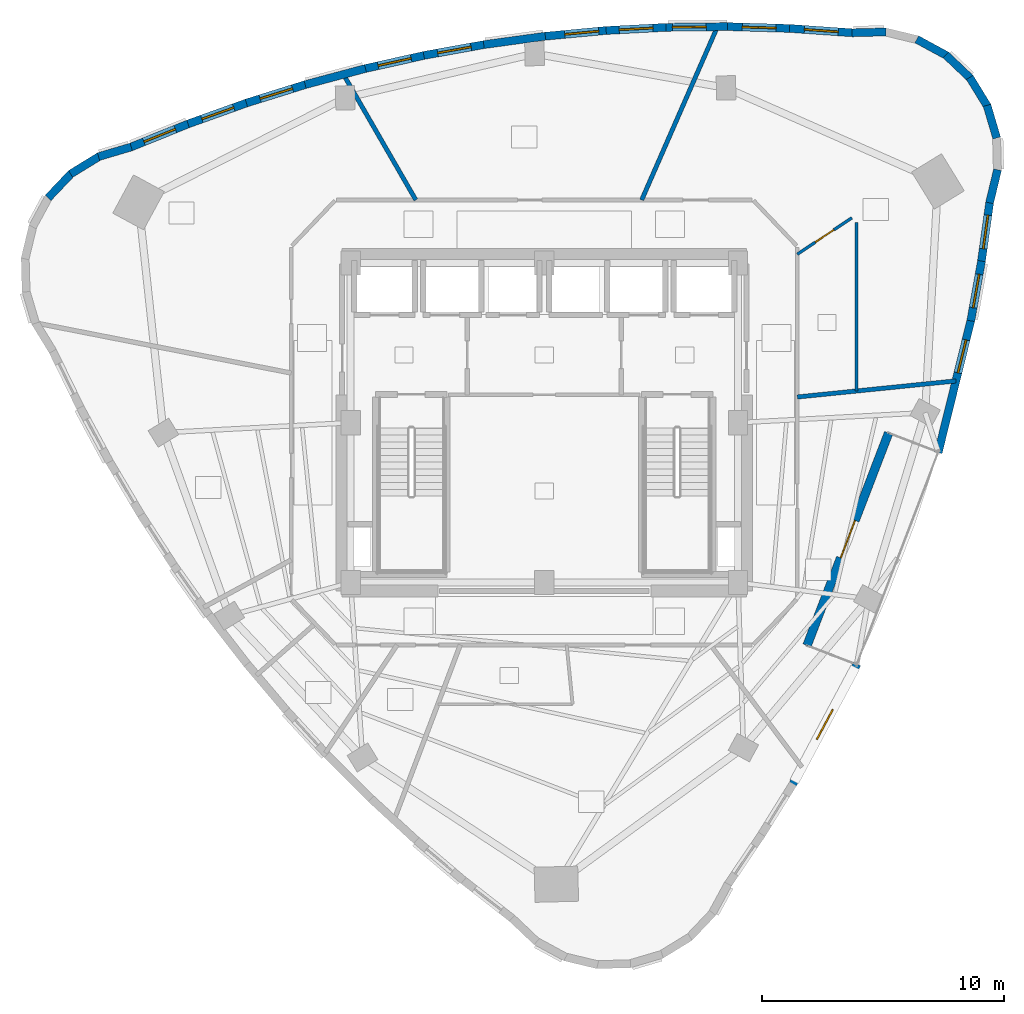
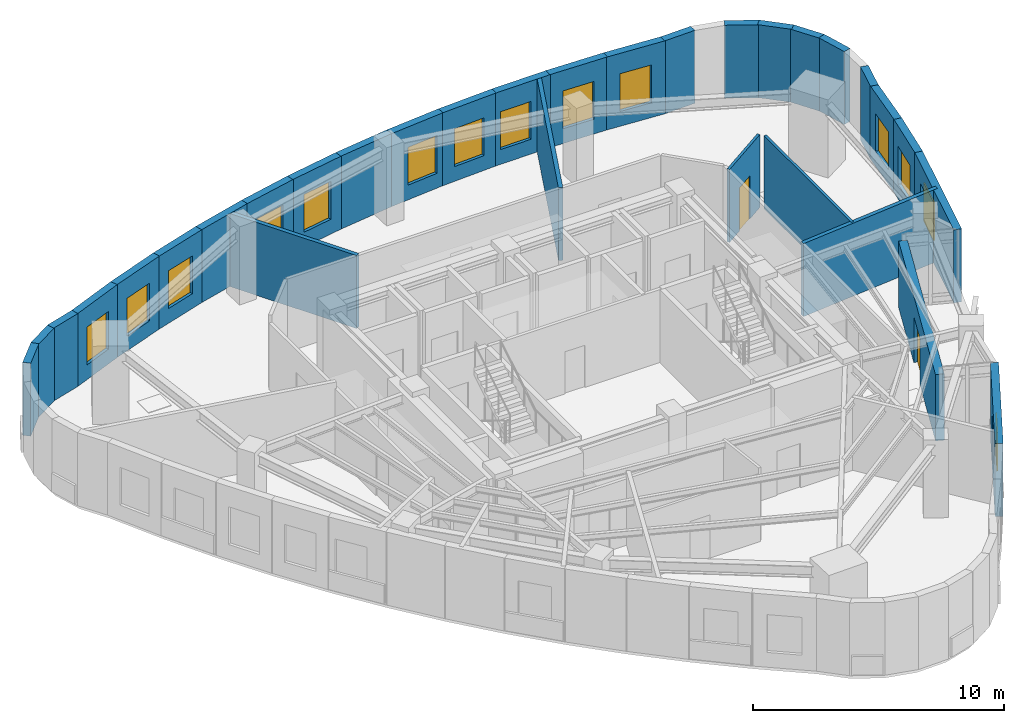
# One storey, part 6 of 10: 31 walls, 14 windows, 2 doors, 16 openings.
"""IFC4 building model written with IfcOpenShell, lengths in metres."""

from ifc_helpers import new_model, si_unit, direction, frame, frame_2d, origin, place, context, subcontext, project, spatial, rectangle, extrude, material, layer, layer_set, type_object, element, fill, save


model = new_model("IFC4")

# Units and contexts
model_context = context("Model", 3, precision=1e-05, world=origin(), true_north=direction((0.0, 1.0)))
body_context = subcontext(model_context, "Body", "Model", "MODEL_VIEW")
ifc_project = project(units=[si_unit("LENGTHUNIT", "METRE"), si_unit("AREAUNIT", "SQUARE_METRE"), si_unit("VOLUMEUNIT", "CUBIC_METRE"), si_unit("PLANEANGLEUNIT", "RADIAN"), si_unit("MASSUNIT", "GRAM", prefix="KILO")], contexts=[model_context])

# Site, building, storey
site_placement = place(None, origin())
site = spatial("IfcSite", under=ifc_project, at=site_placement, CompositionType="ELEMENT")
building_placement = place(site_placement, origin())
building = spatial("IfcBuilding", under=site, at=building_placement, Name="Ndelora Gate Hotel", CompositionType="ELEMENT")
storey_placement = place(building_placement, frame((0.0, 0.0, 239.75)))
storey = spatial("IfcBuildingStorey", under=building, at=storey_placement, Name="L60", CompositionType="ELEMENT", Elevation=239.75)

# Walls
ifc_material_1 = material(Name="Acoustic Double-Stud Gypsum Assembly", Category="gypsum")
ifc_layer_1 = layer(ifc_material_1, 0.179931640625)
ifc_layer_set_1 = layer_set([ifc_layer_1], Name="Acoustic Double-Stud Gypsum Assembly")
wall_type_1 = type_object("IfcWallType", Name="WL-ACOUST-180", PredefinedType="PARTITIONING", material=ifc_layer_set_1)
wall_1_placement = place(storey_placement, frame((10.449951171875, 1.060791015625, 0.0), z_axis=(0.0, 0.0, 1.0), x_axis=(0.994889305672, 0.100971626999, 0.0)))
element("IfcWall", 1, at=wall_1_placement, inside=storey, type_object=wall_type_1, Name="L60 Interior Wall IW-3", PredefinedType="PARTITIONING", context=body_context, shape_type="SweptSolid", body=[
    extrude(rectangle(XDim=6.58642578125, YDim=0.179931640625, at=frame_2d((3.293212890625, 0.0))), origin(), (0.0, 0.0, 1.0), 3.550048828125),
])
wall_2_placement = place(storey_placement, frame((4.0234375, 9.199951171875, 0.0), z_axis=(0.0, 0.0, 1.0), x_axis=(0.400689260614, 0.916214012351, 0.0)))
element("IfcWall", 2, at=wall_2_placement, inside=storey, type_object=wall_type_1, Name="L60 Interior Wall IW-3", PredefinedType="PARTITIONING", context=body_context, shape_type="SweptSolid", body=[
    extrude(rectangle(XDim=7.808837890625, YDim=0.179931640625, at=frame_2d((3.904296875, 0.0))), origin(), (0.0, 0.0, 1.0), 3.550048828125),
])
wall_3_placement = place(storey_placement, frame((-5.305419921875, 9.199951171875, 0.0), z_axis=(0.0, 0.0, 1.0), x_axis=(-0.499547119909, 0.866286716388, 0.0)))
element("IfcWall", 3, at=wall_3_placement, inside=storey, type_object=wall_type_1, Name="L60 Interior Wall IW-3", PredefinedType="PARTITIONING", context=body_context, shape_type="SweptSolid", body=[
    extrude(rectangle(XDim=5.9873046875, YDim=0.179931640625, at=frame_2d((2.99365234375, 0.0))), origin(), (0.0, 0.0, 1.0), 3.550048828125),
])
ifc_material_2 = material(Name="Clay Brick Masonry", Category="masonry")
ifc_layer_2 = layer(ifc_material_2, 0.330078125)
ifc_layer_set_2 = layer_set([ifc_layer_2], Name="Clay Brick Masonry")
wall_type_2 = type_object("IfcWallType", Name="WL-BRICK-330", PredefinedType="SOLIDWALL", material=ifc_layer_set_2)
for number, where, z_axis, x_axis, name in (
    (4, (-18.40966796875, 10.989013671875, 0.0), (0.0, 0.0, 1.0), (0.958780610545, 0.284147392812, 0.0), "L60 Tower Brick Pier-and-Spandrel Wall TWR-1"),
    (5, (-19.564453125, 10.273681640625, 0.0), (0.0, 0.0, 1.0), (0.852556375324, 0.522635271384, 0.0), "L60 Tower Brick Pier-and-Spandrel Wall TWR-2"),
    (6, (-20.494873046875, 9.2841796875, 0.0), (0.0, 0.0, 1.0), (0.688480442028, 0.725254907563, 0.0), "L60 Tower Brick Pier-and-Spandrel Wall TWR-3"),
):
    element("IfcWall", number, at=place(storey_placement, frame(where, z_axis=z_axis, x_axis=x_axis)), inside=storey, type_object=wall_type_2, Name=name, PredefinedType="SOLIDWALL", context=body_context, shape_type="SweptSolid", body=[
        extrude(rectangle(XDim=1.407470703125, YDim=0.330078125, at=frame_2d((0.70361328125, 0.0))), origin(), (0.0, 0.0, 1.0), 3.550048828125),
    ])

# Wall, opening, window
wall_4_placement = place(storey_placement, frame((12.919189453125, -9.967041015625, 0.0), z_axis=(0.0, 0.0, 1.0), x_axis=(-0.471219832314, -0.882015798971, 0.0)))
wall_4 = element("IfcWall", 7, at=wall_4_placement, inside=storey, type_object=wall_type_2, Name="L60 Tower Brick Pier-and-Spandrel Wall TWR-31", PredefinedType="SOLIDWALL", context=body_context, shape_type="SweptSolid", body=[
    extrude(rectangle(XDim=5.65673828125, YDim=0.330078125, at=frame_2d((2.828369140625, 0.0))), origin(), (0.0, 0.0, 1.0), 3.550048828125),
])
opening_1_placement = place(wall_4_placement, frame((2.12841796875, 0.0, 0.719970703125)))
opening_1 = element("IfcOpeningElement", 8, at=opening_1_placement, cuts=wall_4, Name="Opening W02", PredefinedType="OPENING", context=body_context, shape_type="SweptSolid", body=[
    extrude(rectangle(XDim=1.39990234375, YDim=1.8798828125, at=frame_2d((0.699951171875, 0.93994140625))), frame((0.0, 0.175048828125, 0.0), z_axis=(0.0, -1.0, 0.0), x_axis=(1.0, 0.0, 0.0)), (0.0, 0.0, 1.0), 0.35009765625),
])
ifc_material_3 = material(Name="Insulated Low-E Double Glazing in Bronze Aluminium Frame", Category="aluminium")
window_type = type_object("IfcWindowType", Name="WN-DEEP-1400", PartitioningType="SINGLE_PANEL", PredefinedType="WINDOW", material=ifc_material_3)
window_1_placement = place(opening_1_placement, origin())
window_1 = element("IfcWindow", 9, at=window_1_placement, inside=storey, type_object=window_type, Name="L60 Deep-Set Brick-Pier Window W02", OverallHeight=1.8798828125, OverallWidth=1.39990234375, PartitioningType="SINGLE_PANEL", PredefinedType="WINDOW", context=body_context, shape_type="SweptSolid", body=[
    extrude(rectangle(XDim=1.39990234375, YDim=1.8798828125, at=frame_2d((0.699951171875, 0.93994140625))), frame((0.0, 0.030029296875, 0.0), z_axis=(0.0, -1.0, 0.0), x_axis=(1.0, 0.0, 0.0)), (0.0, 0.0, 1.0), 0.06005859375),
])
fill(opening_1, window_1)

wall_5_placement = place(storey_placement, frame((17.627685546875, 4.253662109375, 0.0), z_axis=(0.0, 0.0, 1.0), x_axis=(-0.240006202067, -0.97077135463, 0.0)))
wall_5 = element("IfcWall", 10, at=wall_5_placement, inside=storey, type_object=wall_type_2, Name="L60 Tower Brick Pier-and-Spandrel Wall TWR-36", PredefinedType="SOLIDWALL", context=body_context, shape_type="SweptSolid", body=[
    extrude(rectangle(XDim=5.65673828125, YDim=0.330078125, at=frame_2d((2.828369140625, 0.0))), origin(), (0.0, 0.0, 1.0), 3.550048828125),
])
opening_2_placement = place(wall_5_placement, frame((0.860107421875, 0.0, 0.719970703125)))
opening_2 = element("IfcOpeningElement", 11, at=opening_2_placement, cuts=wall_5, Name="Opening W02", PredefinedType="OPENING", context=body_context, shape_type="SweptSolid", body=[
    extrude(rectangle(XDim=1.39990234375, YDim=1.8798828125, at=frame_2d((0.699951171875, 0.93994140625))), frame((0.0, 0.175048828125, 0.0), z_axis=(0.0, -1.0, 0.0), x_axis=(1.0, 0.0, 0.0)), (0.0, 0.0, 1.0), 0.35009765625),
])
window_2_placement = place(opening_2_placement, origin())
window_2 = element("IfcWindow", 12, at=window_2_placement, inside=storey, type_object=window_type, Name="L60 Deep-Set Brick-Pier Window W02", OverallHeight=1.8798828125, OverallWidth=1.39990234375, PartitioningType="SINGLE_PANEL", PredefinedType="WINDOW", context=body_context, shape_type="SweptSolid", body=[
    extrude(rectangle(XDim=1.39990234375, YDim=1.8798828125, at=frame_2d((0.699951171875, 0.93994140625))), frame((0.0, 0.030029296875, 0.0), z_axis=(0.0, -1.0, 0.0), x_axis=(1.0, 0.0, 0.0)), (0.0, 0.0, 1.0), 0.06005859375),
])
fill(opening_2, window_2)

wall_6_placement = place(storey_placement, frame((18.06005859375, 6.674072265625, 0.0), z_axis=(0.0, 0.0, 1.0), x_axis=(-0.176521442017, -0.984296794929, 0.0)))
wall_6 = element("IfcWall", 13, at=wall_6_placement, inside=storey, type_object=wall_type_2, Name="L60 Tower Brick Pier-and-Spandrel Wall TWR-37", PredefinedType="SOLIDWALL", context=body_context, shape_type="SweptSolid", body=[
    extrude(rectangle(XDim=2.5087890625, YDim=0.330078125, at=frame_2d((1.25439453125, 0.0))), origin(), (0.0, 0.0, 1.0), 3.550048828125),
])
opening_3_placement = place(wall_6_placement, frame((0.554443359375, 0.0, 0.719970703125)))
opening_3 = element("IfcOpeningElement", 14, at=opening_3_placement, cuts=wall_6, Name="Opening W02", PredefinedType="OPENING", context=body_context, shape_type="SweptSolid", body=[
    extrude(rectangle(XDim=1.39990234375, YDim=1.840087890625, at=frame_2d((0.699951171875, 0.919921875))), frame((0.0, 0.175048828125, 0.0), z_axis=(0.0, -1.0, 0.0), x_axis=(1.0, 0.0, 0.0)), (0.0, 0.0, 1.0), 0.35009765625),
])
window_3_placement = place(opening_3_placement, origin())
window_3 = element("IfcWindow", 15, at=window_3_placement, inside=storey, type_object=window_type, Name="L60 Deep-Set Brick-Pier Window W02", OverallHeight=1.840087890625, OverallWidth=1.39990234375, PartitioningType="SINGLE_PANEL", PredefinedType="WINDOW", context=body_context, shape_type="SweptSolid", body=[
    extrude(rectangle(XDim=1.39990234375, YDim=1.840087890625, at=frame_2d((0.699951171875, 0.919921875))), frame((0.0, 0.030029296875, 0.0), z_axis=(0.0, -1.0, 0.0), x_axis=(1.0, 0.0, 0.0)), (0.0, 0.0, 1.0), 0.06005859375),
])
fill(opening_3, window_3)

wall_7_placement = place(storey_placement, frame((18.40234375, 9.12939453125, 0.0), z_axis=(0.0, 0.0, 1.0), x_axis=(-0.138433861982, -0.990371680662, 0.0)))
wall_7 = element("IfcWall", 16, at=wall_7_placement, inside=storey, type_object=wall_type_2, Name="L60 Tower Brick Pier-and-Spandrel Wall TWR-38", PredefinedType="SOLIDWALL", context=body_context, shape_type="SweptSolid", body=[
    extrude(rectangle(XDim=2.529052734375, YDim=0.330078125, at=frame_2d((1.2646484375, 0.0))), origin(), (0.0, 0.0, 1.0), 3.550048828125),
])
opening_4_placement = place(wall_7_placement, frame((0.564453125, 0.0, 0.719970703125)))
opening_4 = element("IfcOpeningElement", 17, at=opening_4_placement, cuts=wall_7, Name="Opening W02", PredefinedType="OPENING", context=body_context, shape_type="SweptSolid", body=[
    extrude(rectangle(XDim=1.39990234375, YDim=1.840087890625, at=frame_2d((0.699951171875, 0.919921875))), frame((0.0, 0.175048828125, 0.0), z_axis=(0.0, -1.0, 0.0), x_axis=(1.0, 0.0, 0.0)), (0.0, 0.0, 1.0), 0.35009765625),
])
window_4_placement = place(opening_4_placement, origin())
window_4 = element("IfcWindow", 18, at=window_4_placement, inside=storey, type_object=window_type, Name="L60 Deep-Set Brick-Pier Window W02", OverallHeight=1.840087890625, OverallWidth=1.39990234375, PartitioningType="SINGLE_PANEL", PredefinedType="WINDOW", context=body_context, shape_type="SweptSolid", body=[
    extrude(rectangle(XDim=1.39990234375, YDim=1.840087890625, at=frame_2d((0.699951171875, 0.919921875))), frame((0.0, 0.030029296875, 0.0), z_axis=(0.0, -1.0, 0.0), x_axis=(1.0, 0.0, 0.0)), (0.0, 0.0, 1.0), 0.06005859375),
])
fill(opening_4, window_4)

# Walls
wall_8_placement = place(storey_placement, frame((18.7216796875, 10.44873046875, 0.0), z_axis=(0.0, 0.0, 1.0), x_axis=(-0.233464793771, -0.972365255482, 0.0)))
element("IfcWall", 19, at=wall_8_placement, inside=storey, type_object=wall_type_2, Name="L60 Tower Brick Pier-and-Spandrel Wall TWR-39", PredefinedType="SOLIDWALL", context=body_context, shape_type="SweptSolid", body=[
    extrude(rectangle(XDim=1.407470703125, YDim=0.330078125, at=frame_2d((0.70361328125, 0.0))), origin(), (0.0, 0.0, 1.0), 3.550048828125),
])
wall_9_placement = place(storey_placement, frame((18.28759765625, 13.10693359375, 0.0), z_axis=(0.0, 0.0, 1.0), x_axis=(0.284100140437, -0.958794613149, 0.0)))
element("IfcWall", 20, at=wall_9_placement, inside=storey, type_object=wall_type_2, Name="L60 Tower Brick Pier-and-Spandrel Wall TWR-41", PredefinedType="SOLIDWALL", context=body_context, shape_type="SweptSolid", body=[
    extrude(rectangle(XDim=1.40771484375, YDim=0.330078125, at=frame_2d((0.703857421875, 0.0))), origin(), (0.0, 0.0, 1.0), 3.550048828125),
])
wall_10_placement = place(storey_placement, frame((17.572509765625, 14.26171875, 0.0), z_axis=(0.0, 0.0, 1.0), x_axis=(0.522509174355, -0.852633662668, 0.0)))
element("IfcWall", 21, at=wall_10_placement, inside=storey, type_object=wall_type_2, Name="L60 Tower Brick Pier-and-Spandrel Wall TWR-42", PredefinedType="SOLIDWALL", context=body_context, shape_type="SweptSolid", body=[
    extrude(rectangle(XDim=1.4072265625, YDim=0.330078125, at=frame_2d((0.70361328125, 0.0))), origin(), (0.0, 0.0, 1.0), 3.550048828125),
])
for number, where, z_axis, x_axis, name in (
    (22, (16.582763671875, 15.192138671875, 0.0), (0.0, 0.0, 1.0), (0.725254907563, -0.688480442028, 0.0), "L60 Tower Brick Pier-and-Spandrel Wall TWR-43"),
    (23, (15.3857421875, 15.83447265625, 0.0), (0.0, 0.0, 1.0), (0.8789012206, -0.47700382014, 0.0), "L60 Tower Brick Pier-and-Spandrel Wall TWR-44"),
    (24, (12.705810546875, 16.103271484375, 0.0), (0.0, 0.0, 1.0), (0.999656913907, 0.02619264168, 0.0), "L60 Tower Brick Pier-and-Spandrel Wall TWR-46"),
):
    element("IfcWall", number, at=place(storey_placement, frame(where, z_axis=z_axis, x_axis=x_axis)), inside=storey, type_object=wall_type_2, Name=name, PredefinedType="SOLIDWALL", context=body_context, shape_type="SweptSolid", body=[
        extrude(rectangle(XDim=1.407470703125, YDim=0.330078125, at=frame_2d((0.70361328125, 0.0))), origin(), (0.0, 0.0, 1.0), 3.550048828125),
    ])

# Wall, opening, window
wall_11_placement = place(storey_placement, frame((10.130615234375, 16.285400390625, 0.0), z_axis=(0.0, 0.0, 1.0), x_axis=(0.997576448788, -0.069578939514, 0.0)))
wall_11 = element("IfcWall", 25, at=wall_11_placement, inside=storey, type_object=wall_type_2, Name="L60 Tower Brick Pier-and-Spandrel Wall TWR-47", PredefinedType="SOLIDWALL", context=body_context, shape_type="SweptSolid", body=[
    extrude(rectangle(XDim=2.631591796875, YDim=0.330078125, at=frame_2d((1.31591796875, 0.0))), origin(), (0.0, 0.0, 1.0), 3.550048828125),
])
opening_5_placement = place(wall_11_placement, frame((0.61572265625, 0.0, 0.719970703125)))
opening_5 = element("IfcOpeningElement", 26, at=opening_5_placement, cuts=wall_11, Name="Opening W02", PredefinedType="OPENING", context=body_context, shape_type="SweptSolid", body=[
    extrude(rectangle(XDim=1.39990234375, YDim=1.840087890625, at=frame_2d((0.699951171875, 0.919921875))), frame((0.0, 0.175048828125, 0.0), z_axis=(0.0, -1.0, 0.0), x_axis=(1.0, 0.0, 0.0)), (0.0, 0.0, 1.0), 0.35009765625),
])
window_5_placement = place(opening_5_placement, origin())
window_5 = element("IfcWindow", 27, at=window_5_placement, inside=storey, type_object=window_type, Name="L60 Deep-Set Brick-Pier Window W02", OverallHeight=1.840087890625, OverallWidth=1.39990234375, PartitioningType="SINGLE_PANEL", PredefinedType="WINDOW", context=body_context, shape_type="SweptSolid", body=[
    extrude(rectangle(XDim=1.39990234375, YDim=1.840087890625, at=frame_2d((0.699951171875, 0.919921875))), frame((0.0, 0.030029296875, 0.0), z_axis=(0.0, -1.0, 0.0), x_axis=(1.0, 0.0, 0.0)), (0.0, 0.0, 1.0), 0.06005859375),
])
fill(opening_5, window_5)

wall_12_placement = place(storey_placement, frame((7.571533203125, 16.360107421875, 0.0), z_axis=(0.0, 0.0, 1.0), x_axis=(0.999565811964, -0.029465022531, 0.0)))
wall_12 = element("IfcWall", 28, at=wall_12_placement, inside=storey, type_object=wall_type_2, Name="L60 Tower Brick Pier-and-Spandrel Wall TWR-48", PredefinedType="SOLIDWALL", context=body_context, shape_type="SweptSolid", body=[
    extrude(rectangle(XDim=2.610107421875, YDim=0.330078125, at=frame_2d((1.30517578125, 0.0))), origin(), (0.0, 0.0, 1.0), 3.550048828125),
])
opening_6_placement = place(wall_12_placement, frame((0.60498046875, 0.0, 0.719970703125)))
opening_6 = element("IfcOpeningElement", 29, at=opening_6_placement, cuts=wall_12, Name="Opening W02", PredefinedType="OPENING", context=body_context, shape_type="SweptSolid", body=[
    extrude(rectangle(XDim=1.39990234375, YDim=1.840087890625, at=frame_2d((0.699951171875, 0.919921875))), frame((0.0, 0.175048828125, 0.0), z_axis=(0.0, -1.0, 0.0), x_axis=(1.0, 0.0, 0.0)), (0.0, 0.0, 1.0), 0.35009765625),
])
window_6_placement = place(opening_6_placement, origin())
window_6 = element("IfcWindow", 30, at=window_6_placement, inside=storey, type_object=window_type, Name="L60 Deep-Set Brick-Pier Window W02", OverallHeight=1.840087890625, OverallWidth=1.39990234375, PartitioningType="SINGLE_PANEL", PredefinedType="WINDOW", context=body_context, shape_type="SweptSolid", body=[
    extrude(rectangle(XDim=1.39990234375, YDim=1.840087890625, at=frame_2d((0.699951171875, 0.919921875))), frame((0.0, 0.030029296875, 0.0), z_axis=(0.0, -1.0, 0.0), x_axis=(1.0, 0.0, 0.0)), (0.0, 0.0, 1.0), 0.06005859375),
])
fill(opening_6, window_6)

wall_13_placement = place(storey_placement, frame((5.029296875, 16.33056640625, 0.0), z_axis=(0.0, 0.0, 1.0), x_axis=(0.99993614345, 0.011300841704, 0.0)))
wall_13 = element("IfcWall", 31, at=wall_13_placement, inside=storey, type_object=wall_type_2, Name="L60 Tower Brick Pier-and-Spandrel Wall TWR-49", PredefinedType="SOLIDWALL", context=body_context, shape_type="SweptSolid", body=[
    extrude(rectangle(XDim=2.592529296875, YDim=0.330078125, at=frame_2d((1.29638671875, 0.0))), origin(), (0.0, 0.0, 1.0), 3.550048828125),
])
opening_7_placement = place(wall_13_placement, frame((0.260009765625, 0.0, 0.719970703125)))
opening_7 = element("IfcOpeningElement", 32, at=opening_7_placement, cuts=wall_13, Name="Opening W02", PredefinedType="OPENING", context=body_context, shape_type="SweptSolid", body=[
    extrude(rectangle(XDim=1.39990234375, YDim=1.840087890625, at=frame_2d((0.699951171875, 0.919921875))), frame((0.0, 0.175048828125, 0.0), z_axis=(0.0, -1.0, 0.0), x_axis=(1.0, 0.0, 0.0)), (0.0, 0.0, 1.0), 0.35009765625),
])
window_7_placement = place(opening_7_placement, origin())
window_7 = element("IfcWindow", 33, at=window_7_placement, inside=storey, type_object=window_type, Name="L60 Deep-Set Brick-Pier Window W02", OverallHeight=1.840087890625, OverallWidth=1.39990234375, PartitioningType="SINGLE_PANEL", PredefinedType="WINDOW", context=body_context, shape_type="SweptSolid", body=[
    extrude(rectangle(XDim=1.39990234375, YDim=1.840087890625, at=frame_2d((0.699951171875, 0.919921875))), frame((0.0, 0.030029296875, 0.0), z_axis=(0.0, -1.0, 0.0), x_axis=(1.0, 0.0, 0.0)), (0.0, 0.0, 1.0), 0.06005859375),
])
fill(opening_7, window_7)

wall_14_placement = place(storey_placement, frame((2.50341796875, 16.19677734375, 0.0), z_axis=(0.0, 0.0, 1.0), x_axis=(0.998619136425, 0.052533992485, 0.0)))
wall_14 = element("IfcWall", 34, at=wall_14_placement, inside=storey, type_object=wall_type_2, Name="L60 Tower Brick Pier-and-Spandrel Wall TWR-50", PredefinedType="SOLIDWALL", context=body_context, shape_type="SweptSolid", body=[
    extrude(rectangle(XDim=2.579345703125, YDim=0.330078125, at=frame_2d((1.28955078125, 0.0))), origin(), (0.0, 0.0, 1.0), 3.550048828125),
])
opening_8_placement = place(wall_14_placement, frame((0.589599609375, 0.0, 0.719970703125)))
opening_8 = element("IfcOpeningElement", 35, at=opening_8_placement, cuts=wall_14, Name="Opening W02", PredefinedType="OPENING", context=body_context, shape_type="SweptSolid", body=[
    extrude(rectangle(XDim=1.39990234375, YDim=1.840087890625, at=frame_2d((0.699951171875, 0.919921875))), frame((0.0, 0.175048828125, 0.0), z_axis=(0.0, -1.0, 0.0), x_axis=(1.0, 0.0, 0.0)), (0.0, 0.0, 1.0), 0.35009765625),
])
window_8_placement = place(opening_8_placement, origin())
window_8 = element("IfcWindow", 36, at=window_8_placement, inside=storey, type_object=window_type, Name="L60 Deep-Set Brick-Pier Window W02", OverallHeight=1.840087890625, OverallWidth=1.39990234375, PartitioningType="SINGLE_PANEL", PredefinedType="WINDOW", context=body_context, shape_type="SweptSolid", body=[
    extrude(rectangle(XDim=1.39990234375, YDim=1.840087890625, at=frame_2d((0.699951171875, 0.919921875))), frame((0.0, 0.030029296875, 0.0), z_axis=(0.0, -1.0, 0.0), x_axis=(1.0, 0.0, 0.0)), (0.0, 0.0, 1.0), 0.06005859375),
])
fill(opening_8, window_8)

wall_15_placement = place(storey_placement, frame((-0.005859375, 15.95849609375, 0.0), z_axis=(0.0, 0.0, 1.0), x_axis=(0.995560547184, 0.094123306836, 0.0)))
wall_15 = element("IfcWall", 37, at=wall_15_placement, inside=storey, type_object=wall_type_2, Name="L60 Tower Brick Pier-and-Spandrel Wall TWR-51", PredefinedType="SOLIDWALL", context=body_context, shape_type="SweptSolid", body=[
    extrude(rectangle(XDim=2.570556640625, YDim=0.330078125, at=frame_2d((1.28515625, 0.0))), origin(), (0.0, 0.0, 1.0), 3.550048828125),
])
opening_9_placement = place(wall_15_placement, frame((0.860107421875, 0.0, 0.719970703125)))
opening_9 = element("IfcOpeningElement", 38, at=opening_9_placement, cuts=wall_15, Name="Opening W02", PredefinedType="OPENING", context=body_context, shape_type="SweptSolid", body=[
    extrude(rectangle(XDim=1.39990234375, YDim=1.840087890625, at=frame_2d((0.699951171875, 0.919921875))), frame((0.0, 0.175048828125, 0.0), z_axis=(0.0, -1.0, 0.0), x_axis=(1.0, 0.0, 0.0)), (0.0, 0.0, 1.0), 0.35009765625),
])
window_9_placement = place(opening_9_placement, origin())
window_9 = element("IfcWindow", 39, at=window_9_placement, inside=storey, type_object=window_type, Name="L60 Deep-Set Brick-Pier Window W02", OverallHeight=1.840087890625, OverallWidth=1.39990234375, PartitioningType="SINGLE_PANEL", PredefinedType="WINDOW", context=body_context, shape_type="SweptSolid", body=[
    extrude(rectangle(XDim=1.39990234375, YDim=1.840087890625, at=frame_2d((0.699951171875, 0.919921875))), frame((0.0, 0.030029296875, 0.0), z_axis=(0.0, -1.0, 0.0), x_axis=(1.0, 0.0, 0.0)), (0.0, 0.0, 1.0), 0.06005859375),
])
fill(opening_9, window_9)

# Wall
wall_16_placement = place(storey_placement, frame((-2.498779296875, 15.615966796875, 0.0), z_axis=(0.0, 0.0, 1.0), x_axis=(0.990754753975, 0.135665093064, 0.0)))
element("IfcWall", 40, at=wall_16_placement, inside=storey, type_object=wall_type_2, Name="L60 Tower Brick Pier-and-Spandrel Wall TWR-52", PredefinedType="SOLIDWALL", context=body_context, shape_type="SweptSolid", body=[
    extrude(rectangle(XDim=2.566162109375, YDim=0.330078125, at=frame_2d((1.283203125, 0.0))), origin(), (0.0, 0.0, 1.0), 3.550048828125),
])

# Wall, opening, window
wall_17_placement = place(storey_placement, frame((-4.974853515625, 15.16943359375, 0.0), z_axis=(0.0, 0.0, 1.0), x_axis=(0.984201564883, 0.17705162999, 0.0)))
wall_17 = element("IfcWall", 41, at=wall_17_placement, inside=storey, type_object=wall_type_2, Name="L60 Tower Brick Pier-and-Spandrel Wall TWR-53", PredefinedType="SOLIDWALL", context=body_context, shape_type="SweptSolid", body=[
    extrude(rectangle(XDim=2.566162109375, YDim=0.330078125, at=frame_2d((1.283203125, 0.0))), origin(), (0.0, 0.0, 1.0), 3.550048828125),
])
opening_10_placement = place(wall_17_placement, frame((0.5830078125, 0.0, 0.719970703125)))
opening_10 = element("IfcOpeningElement", 42, at=opening_10_placement, cuts=wall_17, Name="Opening W02", PredefinedType="OPENING", context=body_context, shape_type="SweptSolid", body=[
    extrude(rectangle(XDim=1.39990234375, YDim=1.840087890625, at=frame_2d((0.699951171875, 0.919921875))), frame((0.0, 0.175048828125, 0.0), z_axis=(0.0, -1.0, 0.0), x_axis=(1.0, 0.0, 0.0)), (0.0, 0.0, 1.0), 0.35009765625),
])
window_10_placement = place(opening_10_placement, origin())
window_10 = element("IfcWindow", 43, at=window_10_placement, inside=storey, type_object=window_type, Name="L60 Deep-Set Brick-Pier Window W02", OverallHeight=1.840087890625, OverallWidth=1.39990234375, PartitioningType="SINGLE_PANEL", PredefinedType="WINDOW", context=body_context, shape_type="SweptSolid", body=[
    extrude(rectangle(XDim=1.39990234375, YDim=1.840087890625, at=frame_2d((0.699951171875, 0.919921875))), frame((0.0, 0.030029296875, 0.0), z_axis=(0.0, -1.0, 0.0), x_axis=(1.0, 0.0, 0.0)), (0.0, 0.0, 1.0), 0.06005859375),
])
fill(opening_10, window_10)

wall_18_placement = place(storey_placement, frame((-7.434326171875, 14.618408203125, 0.0), z_axis=(0.0, 0.0, 1.0), x_axis=(0.975911395469, 0.218167248213, 0.0)))
wall_18 = element("IfcWall", 44, at=wall_18_placement, inside=storey, type_object=wall_type_2, Name="L60 Tower Brick Pier-and-Spandrel Wall TWR-54", PredefinedType="SOLIDWALL", context=body_context, shape_type="SweptSolid", body=[
    extrude(rectangle(XDim=2.570556640625, YDim=0.330078125, at=frame_2d((1.28515625, 0.0))), origin(), (0.0, 0.0, 1.0), 3.550048828125),
])
opening_11_placement = place(wall_18_placement, frame((0.585205078125, 0.0, 0.719970703125)))
opening_11 = element("IfcOpeningElement", 45, at=opening_11_placement, cuts=wall_18, Name="Opening W02", PredefinedType="OPENING", context=body_context, shape_type="SweptSolid", body=[
    extrude(rectangle(XDim=1.39990234375, YDim=1.840087890625, at=frame_2d((0.699951171875, 0.919921875))), frame((0.0, 0.175048828125, 0.0), z_axis=(0.0, -1.0, 0.0), x_axis=(1.0, 0.0, 0.0)), (0.0, 0.0, 1.0), 0.35009765625),
])
window_11_placement = place(opening_11_placement, origin())
window_11 = element("IfcWindow", 46, at=window_11_placement, inside=storey, type_object=window_type, Name="L60 Deep-Set Brick-Pier Window W02", OverallHeight=1.840087890625, OverallWidth=1.39990234375, PartitioningType="SINGLE_PANEL", PredefinedType="WINDOW", context=body_context, shape_type="SweptSolid", body=[
    extrude(rectangle(XDim=1.39990234375, YDim=1.840087890625, at=frame_2d((0.699951171875, 0.919921875))), frame((0.0, 0.030029296875, 0.0), z_axis=(0.0, -1.0, 0.0), x_axis=(1.0, 0.0, 0.0)), (0.0, 0.0, 1.0), 0.06005859375),
])
fill(opening_11, window_11)

# Wall
wall_19_placement = place(storey_placement, frame((-9.87744140625, 13.963134765625, 0.0), z_axis=(0.0, 0.0, 1.0), x_axis=(0.965959456539, 0.258693502667, 0.0)))
element("IfcWall", 47, at=wall_19_placement, inside=storey, type_object=wall_type_2, Name="L60 Tower Brick Pier-and-Spandrel Wall TWR-55", PredefinedType="SOLIDWALL", context=body_context, shape_type="SweptSolid", body=[
    extrude(rectangle(XDim=2.579345703125, YDim=0.330078125, at=frame_2d((1.28955078125, 0.0))), origin(), (0.0, 0.0, 1.0), 3.550048828125),
])

# Wall, opening, window
wall_20_placement = place(storey_placement, frame((-12.303955078125, 13.203857421875, 0.0), z_axis=(0.0, 0.0, 1.0), x_axis=(0.954466572658, 0.298317886956, 0.0)))
wall_20 = element("IfcWall", 48, at=wall_20_placement, inside=storey, type_object=wall_type_2, Name="L60 Tower Brick Pier-and-Spandrel Wall TWR-56", PredefinedType="SOLIDWALL", context=body_context, shape_type="SweptSolid", body=[
    extrude(rectangle(XDim=2.5927734375, YDim=0.330078125, at=frame_2d((1.29638671875, 0.0))), origin(), (0.0, 0.0, 1.0), 3.550048828125),
])
opening_12_placement = place(wall_20_placement, frame((0.59619140625, 0.0, 0.719970703125)))
opening_12 = element("IfcOpeningElement", 49, at=opening_12_placement, cuts=wall_20, Name="Opening W02", PredefinedType="OPENING", context=body_context, shape_type="SweptSolid", body=[
    extrude(rectangle(XDim=1.39990234375, YDim=1.840087890625, at=frame_2d((0.699951171875, 0.919921875))), frame((0.0, 0.175048828125, 0.0), z_axis=(0.0, -1.0, 0.0), x_axis=(1.0, 0.0, 0.0)), (0.0, 0.0, 1.0), 0.35009765625),
])
window_12_placement = place(opening_12_placement, origin())
window_12 = element("IfcWindow", 50, at=window_12_placement, inside=storey, type_object=window_type, Name="L60 Deep-Set Brick-Pier Window W02", OverallHeight=1.840087890625, OverallWidth=1.39990234375, PartitioningType="SINGLE_PANEL", PredefinedType="WINDOW", context=body_context, shape_type="SweptSolid", body=[
    extrude(rectangle(XDim=1.39990234375, YDim=1.840087890625, at=frame_2d((0.699951171875, 0.919921875))), frame((0.0, 0.030029296875, 0.0), z_axis=(0.0, -1.0, 0.0), x_axis=(1.0, 0.0, 0.0)), (0.0, 0.0, 1.0), 0.06005859375),
])
fill(opening_12, window_12)

wall_21_placement = place(storey_placement, frame((-14.7138671875, 12.340087890625, 0.0), z_axis=(0.0, 0.0, 1.0), x_axis=(0.94149404684, 0.337029612594, 0.0)))
wall_21 = element("IfcWall", 51, at=wall_21_placement, inside=storey, type_object=wall_type_2, Name="L60 Tower Brick Pier-and-Spandrel Wall TWR-57", PredefinedType="SOLIDWALL", context=body_context, shape_type="SweptSolid", body=[
    extrude(rectangle(XDim=2.60986328125, YDim=0.330078125, at=frame_2d((1.304931640625, 0.0))), origin(), (0.0, 0.0, 1.0), 3.550048828125),
])
opening_13_placement = place(wall_21_placement, frame((0.60498046875, 0.0, 0.719970703125)))
opening_13 = element("IfcOpeningElement", 52, at=opening_13_placement, cuts=wall_21, Name="Opening W02", PredefinedType="OPENING", context=body_context, shape_type="SweptSolid", body=[
    extrude(rectangle(XDim=1.39990234375, YDim=1.840087890625, at=frame_2d((0.699951171875, 0.919921875))), frame((0.0, 0.175048828125, 0.0), z_axis=(0.0, -1.0, 0.0), x_axis=(1.0, 0.0, 0.0)), (0.0, 0.0, 1.0), 0.35009765625),
])
window_13_placement = place(opening_13_placement, origin())
window_13 = element("IfcWindow", 53, at=window_13_placement, inside=storey, type_object=window_type, Name="L60 Deep-Set Brick-Pier Window W02", OverallHeight=1.840087890625, OverallWidth=1.39990234375, PartitioningType="SINGLE_PANEL", PredefinedType="WINDOW", context=body_context, shape_type="SweptSolid", body=[
    extrude(rectangle(XDim=1.39990234375, YDim=1.840087890625, at=frame_2d((0.699951171875, 0.919921875))), frame((0.0, 0.030029296875, 0.0), z_axis=(0.0, -1.0, 0.0), x_axis=(1.0, 0.0, 0.0)), (0.0, 0.0, 1.0), 0.06005859375),
])
fill(opening_13, window_13)

wall_22_placement = place(storey_placement, frame((-17.107421875, 11.372314453125, 0.0), z_axis=(0.0, 0.0, 1.0), x_axis=(0.927223872231, 0.374507530985, 0.0)))
wall_22 = element("IfcWall", 54, at=wall_22_placement, inside=storey, type_object=wall_type_2, Name="L60 Tower Brick Pier-and-Spandrel Wall TWR-58", PredefinedType="SOLIDWALL", context=body_context, shape_type="SweptSolid", body=[
    extrude(rectangle(XDim=2.631591796875, YDim=0.330078125, at=frame_2d((1.31591796875, 0.0))), origin(), (0.0, 0.0, 1.0), 3.550048828125),
])
opening_14_placement = place(wall_22_placement, frame((0.61572265625, 0.0, 0.719970703125)))
opening_14 = element("IfcOpeningElement", 55, at=opening_14_placement, cuts=wall_22, Name="Opening W02", PredefinedType="OPENING", context=body_context, shape_type="SweptSolid", body=[
    extrude(rectangle(XDim=1.39990234375, YDim=1.840087890625, at=frame_2d((0.699951171875, 0.919921875))), frame((0.0, 0.175048828125, 0.0), z_axis=(0.0, -1.0, 0.0), x_axis=(1.0, 0.0, 0.0)), (0.0, 0.0, 1.0), 0.35009765625),
])
window_14_placement = place(opening_14_placement, origin())
window_14 = element("IfcWindow", 56, at=window_14_placement, inside=storey, type_object=window_type, Name="L60 Deep-Set Brick-Pier Window W02", OverallHeight=1.840087890625, OverallWidth=1.39990234375, PartitioningType="SINGLE_PANEL", PredefinedType="WINDOW", context=body_context, shape_type="SweptSolid", body=[
    extrude(rectangle(XDim=1.39990234375, YDim=1.840087890625, at=frame_2d((0.699951171875, 0.919921875))), frame((0.0, 0.030029296875, 0.0), z_axis=(0.0, -1.0, 0.0), x_axis=(1.0, 0.0, 0.0)), (0.0, 0.0, 1.0), 0.06005859375),
])
fill(opening_14, window_14)

# Wall, opening, door
ifc_layer_3 = layer(ifc_material_2, 0.360107421875)
ifc_layer_set_3 = layer_set([ifc_layer_3], Name="Clay Brick Masonry")
wall_type_3 = type_object("IfcWallType", Name="WL-BRICK-360", PredefinedType="SOLIDWALL", material=ifc_layer_set_3)
wall_23_placement = place(storey_placement, frame((14.22216796875, -0.425048828125, 0.0), z_axis=(0.0, 0.0, 1.0), x_axis=(-0.358368113904, -0.933580363406, 0.0)))
wall_23 = element("IfcWall", 57, at=wall_23_placement, inside=storey, type_object=wall_type_3, Name="L60 Sky-Garden Loggia Rear Brick Wall", PredefinedType="SOLIDWALL", context=body_context, shape_type="SweptSolid", body=[
    extrude(rectangle(XDim=9.39990234375, YDim=0.360107421875, at=frame_2d((4.699951171875, 0.0))), origin(), (0.0, 0.0, 1.0), 3.22998046875),
])
opening_15_placement = place(wall_23_placement, frame((3.875, 0.0, 0.0)))
opening_15 = element("IfcOpeningElement", 58, at=opening_15_placement, cuts=wall_23, Name="Opening TD1", PredefinedType="OPENING", context=body_context, shape_type="SweptSolid", body=[
    extrude(rectangle(XDim=1.64990234375, YDim=2.25, at=frame_2d((0.824951171875, 1.125))), frame((0.0, 0.18994140625, 0.0), z_axis=(0.0, -1.0, 0.0), x_axis=(1.0, 0.0, 0.0)), (0.0, 0.0, 1.0), 0.380126953125),
])
ifc_material_4 = material(Name="Architectural Bronze Glazed Door", Category="metal")
door_type_1 = type_object("IfcDoorType", Name="DR-TER-1650", OperationType="DOUBLE_DOOR_SINGLE_SWING", PredefinedType="DOOR", material=ifc_material_4)
door_1_placement = place(opening_15_placement, origin())
door_1 = element("IfcDoor", 59, at=door_1_placement, inside=storey, type_object=door_type_1, Name="L60 Sky-Garden Terrace Double Door TD1", OperationType="DOUBLE_DOOR_SINGLE_SWING", OverallHeight=2.25, OverallWidth=1.64990234375, PredefinedType="DOOR", context=body_context, shape_type="SweptSolid", body=[
    extrude(rectangle(XDim=1.64990234375, YDim=2.25, at=frame_2d((0.824951171875, 1.125))), frame((0.0, 0.02490234375, 0.0), z_axis=(0.0, -1.0, 0.0), x_axis=(1.0, 0.0, 0.0)), (0.0, 0.0, 1.0), 0.050048828125),
])
fill(opening_15, door_1)

ifc_material_5 = material(Name="Moisture-Resistant Bathroom Tile Partition", Category="gypsum")
ifc_layer_4 = layer(ifc_material_5, 0.1201171875)
ifc_layer_set_4 = layer_set([ifc_layer_4], Name="Moisture-Resistant Bathroom Tile Partition")
wall_type_4 = type_object("IfcWallType", Name="WL-WET-120", PredefinedType="PARTITIONING", material=ifc_layer_set_4)
wall_24_placement = place(storey_placement, frame((10.449951171875, 6.959716796875, 0.0), z_axis=(0.0, 0.0, 1.0), x_axis=(0.832313360894, 0.554305393513, 0.0)))
wall_24 = element("IfcWall", 60, at=wall_24_placement, inside=storey, type_object=wall_type_4, Name="L60 Interior Wall IW-7", PredefinedType="PARTITIONING", context=body_context, shape_type="SweptSolid", body=[
    extrude(rectangle(XDim=2.7119140625, YDim=0.1201171875, at=frame_2d((1.35595703125, 0.0))), origin(), (0.0, 0.0, 1.0), 3.550048828125),
])
opening_16_placement = place(wall_24_placement, frame((0.89599609375, 0.0, 0.0)))
opening_16 = element("IfcOpeningElement", 61, at=opening_16_placement, cuts=wall_24, Name="Opening D03", PredefinedType="OPENING", context=body_context, shape_type="SweptSolid", body=[
    extrude(rectangle(XDim=0.919921875, YDim=2.10009765625, at=frame_2d((0.4599609375, 1.050048828125))), frame((0.0, 0.070068359375, 0.0), z_axis=(0.0, -1.0, 0.0), x_axis=(1.0, 0.0, 0.0)), (0.0, 0.0, 1.0), 0.14013671875),
])
ifc_material_6 = material(Name="Moisture-Resistant Hardwood En-Suite Door", Category="wood")
door_type_2 = type_object("IfcDoorType", Name="DR-BATH-920", OperationType="SINGLE_SWING_LEFT", PredefinedType="DOOR", material=ifc_material_6)
door_2_placement = place(opening_16_placement, origin())
door_2 = element("IfcDoor", 62, at=door_2_placement, inside=storey, type_object=door_type_2, Name="L60 En-suite Bathroom 6302 Door", OperationType="SINGLE_SWING_LEFT", OverallHeight=2.10009765625, OverallWidth=0.919921875, PredefinedType="DOOR", context=body_context, shape_type="SweptSolid", body=[
    extrude(rectangle(XDim=0.919921875, YDim=2.10009765625, at=frame_2d((0.4599609375, 1.050048828125))), frame((0.0, 0.02490234375, 0.0), z_axis=(0.0, -1.0, 0.0), x_axis=(1.0, 0.0, 0.0)), (0.0, 0.0, 1.0), 0.050048828125),
])
fill(opening_16, door_2)

# Wall
wall_25_placement = place(storey_placement, frame((12.89990234375, 1.3095703125, 0.0), z_axis=(0.0, 0.0, 1.0), x_axis=(0.0, 1.0, 0.0)))
element("IfcWall", 63, at=wall_25_placement, inside=storey, type_object=wall_type_4, Name="L60 Interior Wall IW-7", PredefinedType="PARTITIONING", context=body_context, shape_type="SweptSolid", body=[
    extrude(rectangle(XDim=6.950927734375, YDim=0.1201171875, at=frame_2d((3.4755859375, 0.0))), origin(), (0.0, 0.0, 1.0), 3.550048828125),
])

save(model, "model.ifc")
